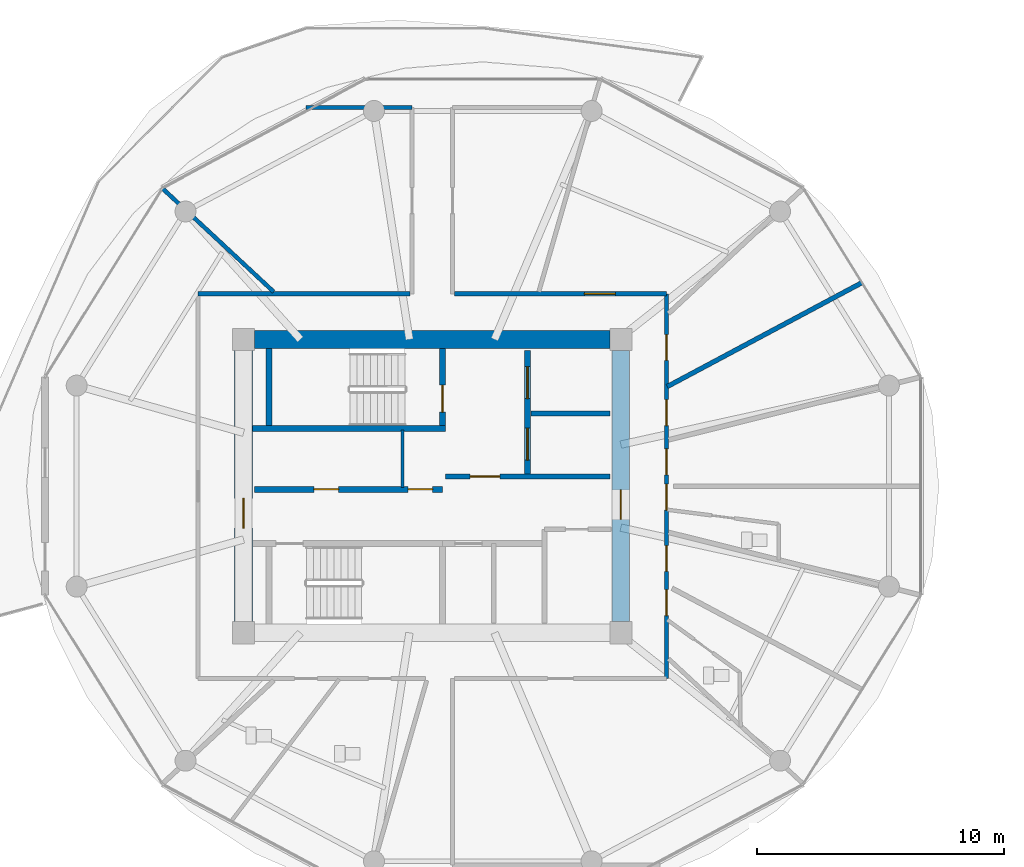
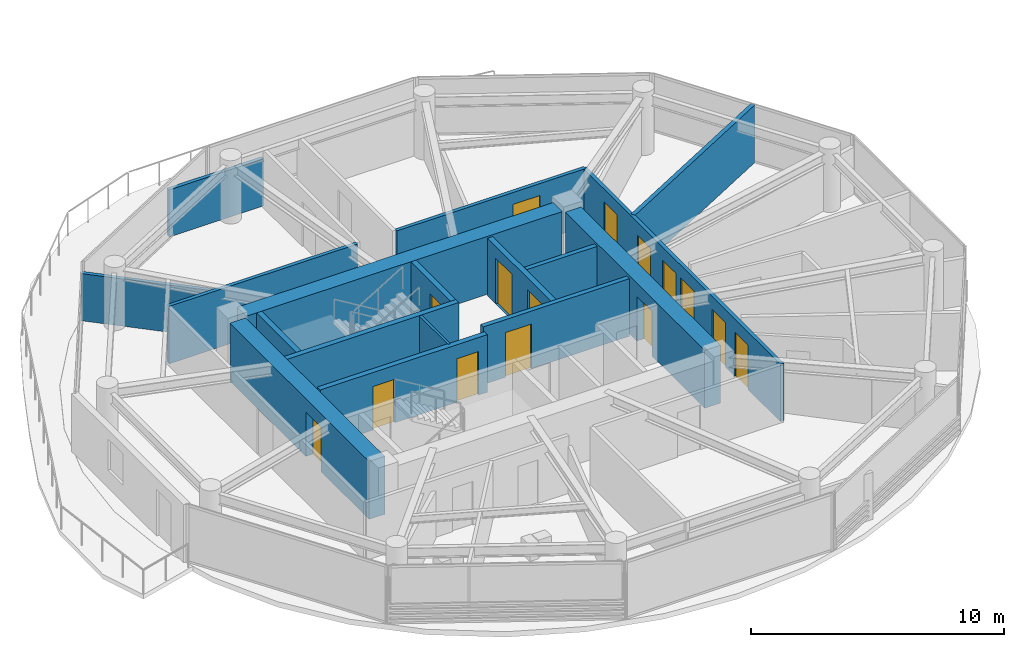
# One storey, part 14 of 25: 17 walls, 15 doors, 15 openings.
"""IFC4 building model written with IfcOpenShell, lengths in metres."""

from ifc_helpers import new_model, si_unit, direction, frame, frame_2d, origin, place, context, subcontext, project, spatial, rectangle, extrude, source, transform, mapped, material, layer, layer_set, type_object, type_shapes, element, fill, save


model = new_model("IFC4")

# Units and contexts
model_context = context("Model", 3, precision=1e-05, world=origin(), true_north=direction((0.0, 1.0)))
body_context = subcontext(model_context, "Body", "Model", "MODEL_VIEW")
ifc_project = project(units=[si_unit("LENGTHUNIT", "METRE"), si_unit("AREAUNIT", "SQUARE_METRE"), si_unit("VOLUMEUNIT", "CUBIC_METRE"), si_unit("PLANEANGLEUNIT", "RADIAN"), si_unit("MASSUNIT", "GRAM", prefix="KILO")], contexts=[model_context])

# Site, building, storey
site_placement = place(None, origin())
site = spatial("IfcSite", under=ifc_project, at=site_placement, CompositionType="ELEMENT")
building_placement = place(site_placement, origin())
building = spatial("IfcBuilding", under=site, at=building_placement, Name="Norrkilde Senior Care Towers", CompositionType="ELEMENT")
storey_placement = place(building_placement, frame((0.0, 0.0, 84.050048828125)))
storey = spatial("IfcBuildingStorey", under=building, at=storey_placement, Name="L25", CompositionType="ELEMENT", Elevation=84.050048828125)

# Wall
ifc_material_1 = material(Name="Concrete C60/75", Category="concrete")
ifc_layer_1 = layer(ifc_material_1, 0.719970703125)
ifc_layer_set_1 = layer_set([ifc_layer_1], Name="Concrete C60/75")
wall_type_1 = type_object("IfcWallType", Name="Core Shear Wall Z2 720", PredefinedType="SHEAR", material=ifc_layer_set_1)
shared_shape_1 = source(origin(), body_context, "Body", "SweptSolid", [
    extrude(rectangle(XDim=14.39990234375, YDim=0.719970703125, at=frame_2d((7.199951171875, 0.0))), origin(), (0.0, 0.0, 1.0), 2.7900390625),
])
wall_1_placement = place(storey_placement, frame((-35.199951171875, 5.949951171875, 0.0), z_axis=(0.0, 0.0, 1.0), x_axis=(1.0, 0.0, 0.0)))
element("IfcWall", 1, at=wall_1_placement, inside=storey, type_object=wall_type_1, Name="L25 Core W North Shear Wall", PredefinedType="SHEAR", context=body_context, shape_type="MappedRepresentation", body=[
    mapped(shared_shape_1, transform((0.0, 0.0, 0.0), x_axis=(1.0, 0.0, 0.0), y_axis=(0.0, 1.0, 0.0), z_axis=(0.0, 0.0, 1.0), scale=1.0)),
])

# Wall, opening, door
shared_shape_2 = source(origin(), body_context, "Body", "SweptSolid", [
    extrude(rectangle(XDim=11.0, YDim=0.719970703125, at=frame_2d((5.5, 0.0))), origin(), (0.0, 0.0, 1.0), 2.7900390625),
])
type_shapes(wall_type_1, [shared_shape_1, shared_shape_2])
wall_2_placement = place(storey_placement, frame((-35.64990234375, -5.5, 0.0), z_axis=(0.0, 0.0, 1.0), x_axis=(0.0, 1.0, 0.0)))
wall_2 = element("IfcWall", 2, at=wall_2_placement, inside=storey, type_object=wall_type_1, Name="L25 Core W West Shear Wall", PredefinedType="SHEAR", context=body_context, shape_type="MappedRepresentation", body=[
    mapped(shared_shape_2, transform((0.0, 0.0, 0.0), x_axis=(1.0, 0.0, 0.0), y_axis=(0.0, 1.0, 0.0), z_axis=(0.0, 0.0, 1.0), scale=1.0)),
])
opening_1_placement = place(wall_2_placement, frame((3.800048828125, 0.0, 0.0)))
opening_1 = element("IfcOpeningElement", 3, at=opening_1_placement, cuts=wall_2, Name="Opening D-04", PredefinedType="OPENING", context=body_context, shape_type="SweptSolid", body=[
    extrude(rectangle(XDim=1.199951171875, YDim=2.14990234375, at=frame_2d((0.60009765625, 1.074951171875))), frame((0.0, 0.369873046875, 0.0), z_axis=(0.0, -1.0, 0.0), x_axis=(1.0, 0.0, 0.0)), (0.0, 0.0, 1.0), 0.739990234375),
])
ifc_material_2 = material(Name="Galvanised Painted Steel", Category="steel")
door_type_1 = type_object("IfcDoorType", Name="Firefighting Lobby Fire Door 1200x2150", OperationType="NOTDEFINED", PredefinedType="DOOR", material=ifc_material_2)
shared_shape_3 = source(origin(), body_context, "Body", "SweptSolid", [
    extrude(rectangle(XDim=1.199951171875, YDim=2.14990234375, at=frame_2d((0.60009765625, 1.074951171875))), frame((0.0, 0.02490234375, 0.0), z_axis=(0.0, -1.0, 0.0), x_axis=(1.0, 0.0, 0.0)), (0.0, 0.0, 1.0), 0.050048828125),
])
type_shapes(door_type_1, [shared_shape_3])
door_1_placement = place(opening_1_placement, frame((1.199951171875, 0.0, 0.0), z_axis=(0.0, 0.0, 1.0), x_axis=(-1.0, 0.0, 0.0)))
door_1 = element("IfcDoor", 4, at=door_1_placement, inside=storey, type_object=door_type_1, Name="L25 Core W West Portal Door", OperationType="SINGLE_SWING_LEFT", OverallHeight=2.14990234375, OverallWidth=1.199951171875, PredefinedType="DOOR", context=body_context, shape_type="MappedRepresentation", body=[
    mapped(shared_shape_3, transform((0.0, 0.0, 0.0), x_axis=(1.0, 0.0, 0.0), y_axis=(0.0, 1.0, 0.0), z_axis=(0.0, 0.0, 1.0), scale=1.0)),
])
fill(opening_1, door_1)

wall_3_placement = place(storey_placement, frame((-20.35009765625, 5.5, 0.0), z_axis=(0.0, 0.0, 1.0), x_axis=(0.0, -1.0, 0.0)))
wall_3 = element("IfcWall", 5, at=wall_3_placement, inside=storey, type_object=wall_type_1, Name="L25 Core W East Shear Wall", PredefinedType="SHEAR", context=body_context, shape_type="MappedRepresentation", body=[
    mapped(shared_shape_2, transform((0.0, 0.0, 0.0), x_axis=(1.0, 0.0, 0.0), y_axis=(0.0, 1.0, 0.0), z_axis=(0.0, 0.0, 1.0), scale=1.0)),
])
opening_2_placement = place(wall_3_placement, frame((5.64990234375, 0.0, 0.0)))
opening_2 = element("IfcOpeningElement", 6, at=opening_2_placement, cuts=wall_3, Name="Opening D-04", PredefinedType="OPENING", context=body_context, shape_type="SweptSolid", body=[
    extrude(rectangle(XDim=1.199951171875, YDim=2.14990234375, at=frame_2d((0.60009765625, 1.074951171875))), frame((0.0, 0.369873046875, 0.0), z_axis=(0.0, -1.0, 0.0), x_axis=(1.0, 0.0, 0.0)), (0.0, 0.0, 1.0), 0.739990234375),
])
door_2_placement = place(opening_2_placement, frame((1.199951171875, 0.0, 0.0), z_axis=(0.0, 0.0, 1.0), x_axis=(-1.0, 0.0, 0.0)))
door_2 = element("IfcDoor", 7, at=door_2_placement, inside=storey, type_object=door_type_1, Name="L25 Core W East Portal Door", OperationType="SINGLE_SWING_RIGHT", OverallHeight=2.14990234375, OverallWidth=1.199951171875, PredefinedType="DOOR", context=body_context, shape_type="MappedRepresentation", body=[
    mapped(shared_shape_3, transform((0.0, 0.0, 0.0), x_axis=(1.0, 0.0, 0.0), y_axis=(0.0, 1.0, 0.0), z_axis=(0.0, 0.0, 1.0), scale=1.0)),
])
fill(opening_2, door_2)

# Wall, openings, doors
ifc_material_3 = material(Name="Concrete C45/55", Category="concrete")
ifc_layer_2 = layer(ifc_material_3, 0.239990234375)
ifc_layer_set_2 = layer_set([ifc_layer_2], Name="Concrete C45/55")
wall_type_2 = type_object("IfcWallType", Name="Lift and Plant Rated Enclosure Partition 240", PredefinedType="PARTITIONING", material=ifc_layer_set_2)
shared_shape_4 = source(origin(), body_context, "Body", "SweptSolid", [
    extrude(rectangle(XDim=5.0, YDim=0.239990234375, at=frame_2d((2.5, 0.0))), origin(), (0.0, 0.0, 1.0), 2.77490234375),
])
wall_4_placement = place(storey_placement, frame((-24.139892578125, 0.5, 0.0), z_axis=(0.0, 0.0, 1.0), x_axis=(0.0, 1.0, 0.0)))
wall_4 = element("IfcWall", 8, at=wall_4_placement, inside=storey, type_object=wall_type_2, Name="WL-INT-L25-W-FFLE", PredefinedType="PARTITIONING", context=body_context, shape_type="MappedRepresentation", body=[
    mapped(shared_shape_4, transform((0.0, 0.0, 0.0), x_axis=(1.0, 0.0, 0.0), y_axis=(0.0, 1.0, 0.0), z_axis=(0.0, 0.0, 1.0), scale=1.0)),
])
opening_3_placement = place(wall_4_placement, frame((3.050048828125, 0.0, 0.0)))
opening_3 = element("IfcOpeningElement", 9, at=opening_3_placement, cuts=wall_4, Name="Opening LD-02", PredefinedType="OPENING", context=body_context, shape_type="SweptSolid", body=[
    extrude(rectangle(XDim=1.300048828125, YDim=2.199951171875, at=frame_2d((0.64990234375, 1.10009765625))), frame((0.0, 0.1298828125, 0.0), z_axis=(0.0, -1.0, 0.0), x_axis=(1.0, 0.0, 0.0)), (0.0, 0.0, 1.0), 0.260009765625),
])
opening_4_placement = place(wall_4_placement, frame((0.550048828125, 0.0, 0.0)))
opening_4 = element("IfcOpeningElement", 10, at=opening_4_placement, cuts=wall_4, Name="Opening LD-02", PredefinedType="OPENING", context=body_context, shape_type="SweptSolid", body=[
    extrude(rectangle(XDim=1.300048828125, YDim=2.199951171875, at=frame_2d((0.64990234375, 1.10009765625))), frame((0.0, 0.1298828125, 0.0), z_axis=(0.0, -1.0, 0.0), x_axis=(1.0, 0.0, 0.0)), (0.0, 0.0, 1.0), 0.260009765625),
])
ifc_material_4 = material(Name="Stainless Steel", Category="steel")
door_type_2 = type_object("IfcDoorType", Name="Stretcher and FFL Landing Sliding Door 1300x2200", OperationType="NOTDEFINED", PredefinedType="DOOR", material=ifc_material_4)
shared_shape_5 = source(origin(), body_context, "Body", "SweptSolid", [
    extrude(rectangle(XDim=1.300048828125, YDim=2.199951171875, at=frame_2d((0.64990234375, 1.10009765625))), frame((0.0, 0.02490234375, 0.0), z_axis=(0.0, -1.0, 0.0), x_axis=(1.0, 0.0, 0.0)), (0.0, 0.0, 1.0), 0.050048828125),
])
type_shapes(door_type_2, [shared_shape_5])
door_3_placement = place(opening_3_placement, origin())
door_3 = element("IfcDoor", 11, at=door_3_placement, inside=storey, type_object=door_type_2, Name="L25 Firefighting Lift W1 Landing Door", OperationType="SLIDING_TO_LEFT", OverallHeight=2.199951171875, OverallWidth=1.300048828125, PredefinedType="DOOR", context=body_context, shape_type="MappedRepresentation", body=[
    mapped(shared_shape_5, transform((0.0, 0.0, 0.0), x_axis=(1.0, 0.0, 0.0), y_axis=(0.0, 1.0, 0.0), z_axis=(0.0, 0.0, 1.0), scale=1.0)),
])
fill(opening_3, door_3)
door_4_placement = place(opening_4_placement, origin())
door_4 = element("IfcDoor", 12, at=door_4_placement, inside=storey, type_object=door_type_2, Name="L25 Stretcher Lift W1 Landing Door", OperationType="SLIDING_TO_RIGHT", OverallHeight=2.199951171875, OverallWidth=1.300048828125, PredefinedType="DOOR", context=body_context, shape_type="MappedRepresentation", body=[
    mapped(shared_shape_5, transform((0.0, 0.0, 0.0), x_axis=(1.0, 0.0, 0.0), y_axis=(0.0, 1.0, 0.0), z_axis=(0.0, 0.0, 1.0), scale=1.0)),
])
fill(opening_4, door_4)

# Wall
ifc_layer_3 = layer(ifc_material_3, 0.199951171875)
ifc_layer_set_3 = layer_set([ifc_layer_3], Name="Concrete C45/55")
wall_type_3 = type_object("IfcWallType", Name="Shaft Division and Plant Partition 200", PredefinedType="PARTITIONING", material=ifc_layer_set_3)
shared_shape_6 = source(origin(), body_context, "Body", "SweptSolid", [
    extrude(rectangle(XDim=3.199951171875, YDim=0.199951171875, at=frame_2d((1.60009765625, 0.0))), origin(), (0.0, 0.0, 1.0), 2.77490234375),
])
type_shapes(wall_type_3, [shared_shape_6])
wall_5_placement = place(storey_placement, frame((-24.0, 2.949951171875, 0.0), z_axis=(0.0, 0.0, 1.0), x_axis=(1.0, 0.0, 0.0)))
element("IfcWall", 13, at=wall_5_placement, inside=storey, type_object=wall_type_3, Name="WL-INT-L25-W-FFLDIV", PredefinedType="PARTITIONING", context=body_context, shape_type="MappedRepresentation", body=[
    mapped(shared_shape_6, transform((0.0, 0.0, 0.0), x_axis=(1.0, 0.0, 0.0), y_axis=(0.0, 1.0, 0.0), z_axis=(0.0, 0.0, 1.0), scale=1.0)),
])

# Wall, opening, door
ifc_layer_4 = layer(ifc_material_3, 0.2099609375)
ifc_layer_set_4 = layer_set([ifc_layer_4], Name="Concrete C45/55")
wall_type_4 = type_object("IfcWallType", Name="Firefighting Lobby Wall 210", PredefinedType="PARTITIONING", material=ifc_layer_set_4)
shared_shape_7 = source(origin(), body_context, "Body", "SweptSolid", [
    extrude(rectangle(XDim=6.659912109375, YDim=0.2099609375, at=frame_2d((3.330078125, 0.0))), origin(), (0.0, 0.0, 1.0), 2.77490234375),
])
type_shapes(wall_type_4, [shared_shape_7])
wall_6_placement = place(storey_placement, frame((-27.4599609375, 0.389892578125, 0.0), z_axis=(0.0, 0.0, 1.0), x_axis=(1.0, 0.0, 0.0)))
wall_6 = element("IfcWall", 14, at=wall_6_placement, inside=storey, type_object=wall_type_4, Name="WL-INT-L25-W-FFLS", PredefinedType="PARTITIONING", context=body_context, shape_type="MappedRepresentation", body=[
    mapped(shared_shape_7, transform((0.0, 0.0, 0.0), x_axis=(1.0, 0.0, 0.0), y_axis=(0.0, 1.0, 0.0), z_axis=(0.0, 0.0, 1.0), scale=1.0)),
])
opening_5_placement = place(wall_6_placement, frame((1.0, 0.0, 0.0)))
opening_5 = element("IfcOpeningElement", 15, at=opening_5_placement, cuts=wall_6, Name="Opening D-04", PredefinedType="OPENING", context=body_context, shape_type="SweptSolid", body=[
    extrude(rectangle(XDim=1.199951171875, YDim=2.14990234375, at=frame_2d((0.60009765625, 1.074951171875))), frame((0.0, 0.114990234375, 0.0), z_axis=(0.0, -1.0, 0.0), x_axis=(1.0, 0.0, 0.0)), (0.0, 0.0, 1.0), 0.22998046875),
])
door_5_placement = place(opening_5_placement, frame((1.199951171875, 0.0, 0.0), z_axis=(0.0, 0.0, 1.0), x_axis=(-1.0, 0.0, 0.0)))
door_5 = element("IfcDoor", 16, at=door_5_placement, inside=storey, type_object=door_type_1, Name="L25 Firefighting Lobby W Door", OperationType="SINGLE_SWING_LEFT", OverallHeight=2.14990234375, OverallWidth=1.199951171875, PredefinedType="DOOR", context=body_context, shape_type="MappedRepresentation", body=[
    mapped(shared_shape_3, transform((0.0, 0.0, 0.0), x_axis=(1.0, 0.0, 0.0), y_axis=(0.0, 1.0, 0.0), z_axis=(0.0, 0.0, 1.0), scale=1.0)),
])
fill(opening_5, door_5)

# Wall, openings, doors
shared_shape_8 = source(origin(), body_context, "Body", "SweptSolid", [
    extrude(rectangle(XDim=7.619873046875, YDim=0.239990234375, at=frame_2d((3.81005859375, 0.0))), origin(), (0.0, 0.0, 1.0), 2.77490234375),
])
type_shapes(wall_type_2, [shared_shape_4, shared_shape_8])
wall_7_placement = place(storey_placement, frame((-35.199951171875, -0.1298828125, 0.0), z_axis=(0.0, 0.0, 1.0), x_axis=(1.0, 0.0, 0.0)))
wall_7 = element("IfcWall", 17, at=wall_7_placement, inside=storey, type_object=wall_type_2, Name="WL-INT-L25-W-PKAS", PredefinedType="PARTITIONING", context=body_context, shape_type="MappedRepresentation", body=[
    mapped(shared_shape_8, transform((0.0, 0.0, 0.0), x_axis=(1.0, 0.0, 0.0), y_axis=(0.0, 1.0, 0.0), z_axis=(0.0, 0.0, 1.0), scale=1.0)),
])
opening_6_placement = place(wall_7_placement, frame((6.219970703125, 0.0, 0.0)))
opening_6 = element("IfcOpeningElement", 18, at=opening_6_placement, cuts=wall_7, Name="Opening D-10", PredefinedType="OPENING", context=body_context, shape_type="SweptSolid", body=[
    extrude(rectangle(XDim=1.0, YDim=2.10009765625, at=frame_2d((0.5, 1.050048828125))), frame((0.0, 0.1298828125, 0.0), z_axis=(0.0, -1.0, 0.0), x_axis=(1.0, 0.0, 0.0)), (0.0, 0.0, 1.0), 0.260009765625),
])
opening_7_placement = place(wall_7_placement, frame((2.39990234375, 0.0, 0.0)))
opening_7 = element("IfcOpeningElement", 19, at=opening_7_placement, cuts=wall_7, Name="Opening D-10", PredefinedType="OPENING", context=body_context, shape_type="SweptSolid", body=[
    extrude(rectangle(XDim=1.0, YDim=2.10009765625, at=frame_2d((0.5, 1.050048828125))), frame((0.0, 0.1298828125, 0.0), z_axis=(0.0, -1.0, 0.0), x_axis=(1.0, 0.0, 0.0)), (0.0, 0.0, 1.0), 0.260009765625),
])
door_type_3 = type_object("IfcDoorType", Name="Plant and Riser Rated Door 1000x2100", OperationType="NOTDEFINED", PredefinedType="DOOR", material=ifc_material_2)
shared_shape_9 = source(origin(), body_context, "Body", "SweptSolid", [
    extrude(rectangle(XDim=1.0, YDim=2.10009765625, at=frame_2d((0.5, 1.050048828125))), frame((0.0, 0.02490234375, 0.0), z_axis=(0.0, -1.0, 0.0), x_axis=(1.0, 0.0, 0.0)), (0.0, 0.0, 1.0), 0.050048828125),
])
type_shapes(door_type_3, [shared_shape_9])
door_6_placement = place(opening_6_placement, frame((1.0, 0.0, 0.0), z_axis=(0.0, 0.0, 1.0), x_axis=(-1.0, 0.0, 0.0)))
door_6 = element("IfcDoor", 20, at=door_6_placement, inside=storey, type_object=door_type_3, Name="L25 Electrical Riser W Door", OperationType="SINGLE_SWING_LEFT", OverallHeight=2.10009765625, OverallWidth=1.0, PredefinedType="DOOR", context=body_context, shape_type="MappedRepresentation", body=[
    mapped(shared_shape_9, transform((0.0, 0.0, 0.0), x_axis=(1.0, 0.0, 0.0), y_axis=(0.0, 1.0, 0.0), z_axis=(0.0, 0.0, 1.0), scale=1.0)),
])
fill(opening_6, door_6)
door_7_placement = place(opening_7_placement, frame((1.0, 0.0, 0.0), z_axis=(0.0, 0.0, 1.0), x_axis=(-1.0, 0.0, 0.0)))
door_7 = element("IfcDoor", 21, at=door_7_placement, inside=storey, type_object=door_type_3, Name="L25 Clean Supply Store W Door", OperationType="SINGLE_SWING_LEFT", OverallHeight=2.10009765625, OverallWidth=1.0, PredefinedType="DOOR", context=body_context, shape_type="MappedRepresentation", body=[
    mapped(shared_shape_9, transform((0.0, 0.0, 0.0), x_axis=(1.0, 0.0, 0.0), y_axis=(0.0, 1.0, 0.0), z_axis=(0.0, 0.0, 1.0), scale=1.0)),
])
fill(opening_7, door_7)

# Wall
ifc_material_5 = material(Name="Gypsum Acoustic Board")
ifc_layer_5 = layer(ifc_material_5, 0.114990234375)
ifc_layer_set_5 = layer_set([ifc_layer_5], Name="Gypsum Acoustic Board")
wall_type_5 = type_object("IfcWallType", Name="Internal Room Partition 115", PredefinedType="PARTITIONING", material=ifc_layer_set_5)
shared_shape_10 = source(origin(), body_context, "Body", "SweptSolid", [
    extrude(rectangle(XDim=2.330078125, YDim=0.114990234375, at=frame_2d((1.1650390625, 0.0))), origin(), (0.0, 0.0, 1.0), 2.77490234375),
])
type_shapes(wall_type_5, [shared_shape_10])
wall_8_placement = place(storey_placement, frame((-29.2099609375, -0.050048828125, 0.0), z_axis=(0.0, 0.0, 1.0), x_axis=(0.0, 1.0, 0.0)))
element("IfcWall", 22, at=wall_8_placement, inside=storey, type_object=wall_type_5, Name="WL-INT-L25-W-RISW", PredefinedType="PARTITIONING", context=body_context, shape_type="MappedRepresentation", body=[
    mapped(shared_shape_10, transform((0.0, 0.0, 0.0), x_axis=(1.0, 0.0, 0.0), y_axis=(0.0, 1.0, 0.0), z_axis=(0.0, 0.0, 1.0), scale=1.0)),
])

# Wall, openings, doors
ifc_layer_6 = layer(ifc_material_5, 0.1650390625)
ifc_layer_set_6 = layer_set([ifc_layer_6], Name="Gypsum Acoustic Board")
wall_type_6 = type_object("IfcWallType", Name="Corridor Rated Partition 165", PredefinedType="PARTITIONING", material=ifc_layer_set_6)
shared_shape_11 = source(origin(), body_context, "Body", "SweptSolid", [
    extrude(rectangle(XDim=15.60009765625, YDim=0.1650390625, at=frame_2d((7.800048828125, 0.0))), origin(), (0.0, 0.0, 1.0), 2.77490234375),
])
wall_9_placement = place(storey_placement, frame((-18.5, 7.800048828125, 0.0), z_axis=(0.0, 0.0, 1.0), x_axis=(0.0, -1.0, 0.0)))
wall_9 = element("IfcWall", 23, at=wall_9_placement, inside=storey, type_object=wall_type_6, Name="WL-INT-L25-W-CRW-E-0", PredefinedType="PARTITIONING", context=body_context, shape_type="MappedRepresentation", body=[
    mapped(shared_shape_11, transform((0.0, 0.0, 0.0), x_axis=(1.0, 0.0, 0.0), y_axis=(0.0, 1.0, 0.0), z_axis=(0.0, 0.0, 1.0), scale=1.0)),
])
opening_8_placement = place(wall_9_placement, frame((12.001953125, 0.0, 0.0)))
opening_8 = element("IfcOpeningElement", 24, at=opening_8_placement, cuts=wall_9, Name="Opening D-06", PredefinedType="OPENING", context=body_context, shape_type="SweptSolid", body=[
    extrude(rectangle(XDim=1.050048828125, YDim=2.14990234375, at=frame_2d((0.52490234375, 1.074951171875))), frame((0.0, 0.092529296875, 0.0), z_axis=(0.0, -1.0, 0.0), x_axis=(1.0, 0.0, 0.0)), (0.0, 0.0, 1.0), 0.18505859375),
])
opening_9_placement = place(wall_9_placement, frame((10.210693359375, 0.0, 0.0)))
opening_9 = element("IfcOpeningElement", 25, at=opening_9_placement, cuts=wall_9, Name="Opening D-06", PredefinedType="OPENING", context=body_context, shape_type="SweptSolid", body=[
    extrude(rectangle(XDim=1.050048828125, YDim=2.14990234375, at=frame_2d((0.52490234375, 1.074951171875))), frame((0.0, 0.092529296875, 0.0), z_axis=(0.0, -1.0, 0.0), x_axis=(1.0, 0.0, 0.0)), (0.0, 0.0, 1.0), 0.18505859375),
])
opening_10_placement = place(wall_9_placement, frame((7.721923828125, 0.0, 0.0)))
opening_10 = element("IfcOpeningElement", 26, at=opening_10_placement, cuts=wall_9, Name="Opening D-06", PredefinedType="OPENING", context=body_context, shape_type="SweptSolid", body=[
    extrude(rectangle(XDim=1.050048828125, YDim=2.14990234375, at=frame_2d((0.52490234375, 1.074951171875))), frame((0.0, 0.092529296875, 0.0), z_axis=(0.0, -1.0, 0.0), x_axis=(1.0, 0.0, 0.0)), (0.0, 0.0, 1.0), 0.18505859375),
])
opening_11_placement = place(wall_9_placement, frame((6.290771484375, 0.0, 0.0)))
opening_11 = element("IfcOpeningElement", 27, at=opening_11_placement, cuts=wall_9, Name="Opening D-06", PredefinedType="OPENING", context=body_context, shape_type="SweptSolid", body=[
    extrude(rectangle(XDim=1.050048828125, YDim=2.14990234375, at=frame_2d((0.52490234375, 1.074951171875))), frame((0.0, 0.092529296875, 0.0), z_axis=(0.0, -1.0, 0.0), x_axis=(1.0, 0.0, 0.0)), (0.0, 0.0, 1.0), 0.18505859375),
])
opening_12_placement = place(wall_9_placement, frame((4.296142578125, 0.0, 0.0)))
opening_12 = element("IfcOpeningElement", 28, at=opening_12_placement, cuts=wall_9, Name="Opening D-06", PredefinedType="OPENING", context=body_context, shape_type="SweptSolid", body=[
    extrude(rectangle(XDim=1.050048828125, YDim=2.14990234375, at=frame_2d((0.52490234375, 1.074951171875))), frame((0.0, 0.092529296875, 0.0), z_axis=(0.0, -1.0, 0.0), x_axis=(1.0, 0.0, 0.0)), (0.0, 0.0, 1.0), 0.18505859375),
])
opening_13_placement = place(wall_9_placement, frame((1.654052734375, 0.0, 0.0)))
opening_13 = element("IfcOpeningElement", 29, at=opening_13_placement, cuts=wall_9, Name="Opening D-06", PredefinedType="OPENING", context=body_context, shape_type="SweptSolid", body=[
    extrude(rectangle(XDim=1.050048828125, YDim=2.14990234375, at=frame_2d((0.52490234375, 1.074951171875))), frame((0.0, 0.092529296875, 0.0), z_axis=(0.0, -1.0, 0.0), x_axis=(1.0, 0.0, 0.0)), (0.0, 0.0, 1.0), 0.18505859375),
])
ifc_material_6 = material(Name="Nordic Ash Timber", Category="wood")
door_type_4 = type_object("IfcDoorType", Name="Apartment Entrance Fire Door 1050x2150", OperationType="NOTDEFINED", PredefinedType="DOOR", material=ifc_material_6)
shared_shape_12 = source(origin(), body_context, "Body", "SweptSolid", [
    extrude(rectangle(XDim=1.050048828125, YDim=2.14990234375, at=frame_2d((0.52490234375, 1.074951171875))), frame((0.0, 0.02490234375, 0.0), z_axis=(0.0, -1.0, 0.0), x_axis=(1.0, 0.0, 0.0)), (0.0, 0.0, 1.0), 0.050048828125),
])
type_shapes(door_type_4, [shared_shape_12])
door_8_placement = place(opening_8_placement, frame((1.050048828125, 0.0, 0.0), z_axis=(0.0, 0.0, 1.0), x_axis=(-1.0, 0.0, 0.0)))
door_8 = element("IfcDoor", 30, at=door_8_placement, inside=storey, type_object=door_type_4, Name="L25 Care Suite 2510A Entrance Door", OperationType="SINGLE_SWING_LEFT", OverallHeight=2.14990234375, OverallWidth=1.050048828125, PredefinedType="DOOR", context=body_context, shape_type="MappedRepresentation", body=[
    mapped(shared_shape_12, transform((0.0, 0.0, 0.0), x_axis=(1.0, 0.0, 0.0), y_axis=(0.0, 1.0, 0.0), z_axis=(0.0, 0.0, 1.0), scale=1.0)),
])
fill(opening_8, door_8)
door_9_placement = place(opening_9_placement, frame((1.050048828125, 0.0, 0.0), z_axis=(0.0, 0.0, 1.0), x_axis=(-1.0, 0.0, 0.0)))
door_9 = element("IfcDoor", 31, at=door_9_placement, inside=storey, type_object=door_type_4, Name="L25 Therapy Day Lounge 10 Door", OperationType="SINGLE_SWING_RIGHT", OverallHeight=2.14990234375, OverallWidth=1.050048828125, PredefinedType="DOOR", context=body_context, shape_type="MappedRepresentation", body=[
    mapped(shared_shape_12, transform((0.0, 0.0, 0.0), x_axis=(1.0, 0.0, 0.0), y_axis=(0.0, 1.0, 0.0), z_axis=(0.0, 0.0, 1.0), scale=1.0)),
])
fill(opening_9, door_9)
door_10_placement = place(opening_10_placement, frame((1.050048828125, 0.0, 0.0), z_axis=(0.0, 0.0, 1.0), x_axis=(-1.0, 0.0, 0.0)))
door_10 = element("IfcDoor", 32, at=door_10_placement, inside=storey, type_object=door_type_4, Name="L25 Care Suite 2511A Entrance Door", OperationType="SINGLE_SWING_RIGHT", OverallHeight=2.14990234375, OverallWidth=1.050048828125, PredefinedType="DOOR", context=body_context, shape_type="MappedRepresentation", body=[
    mapped(shared_shape_12, transform((0.0, 0.0, 0.0), x_axis=(1.0, 0.0, 0.0), y_axis=(0.0, 1.0, 0.0), z_axis=(0.0, 0.0, 1.0), scale=1.0)),
])
fill(opening_10, door_10)
door_11_placement = place(opening_11_placement, frame((1.050048828125, 0.0, 0.0), z_axis=(0.0, 0.0, 1.0), x_axis=(-1.0, 0.0, 0.0)))
door_11 = element("IfcDoor", 33, at=door_11_placement, inside=storey, type_object=door_type_4, Name="L25 Therapy Day Lounge 11 Door", OperationType="SINGLE_SWING_LEFT", OverallHeight=2.14990234375, OverallWidth=1.050048828125, PredefinedType="DOOR", context=body_context, shape_type="MappedRepresentation", body=[
    mapped(shared_shape_12, transform((0.0, 0.0, 0.0), x_axis=(1.0, 0.0, 0.0), y_axis=(0.0, 1.0, 0.0), z_axis=(0.0, 0.0, 1.0), scale=1.0)),
])
fill(opening_11, door_11)
door_12_placement = place(opening_12_placement, frame((1.050048828125, 0.0, 0.0), z_axis=(0.0, 0.0, 1.0), x_axis=(-1.0, 0.0, 0.0)))
door_12 = element("IfcDoor", 34, at=door_12_placement, inside=storey, type_object=door_type_4, Name="L25 Physiotherapy Clinic 0A Door", OperationType="SINGLE_SWING_LEFT", OverallHeight=2.14990234375, OverallWidth=1.050048828125, PredefinedType="DOOR", context=body_context, shape_type="MappedRepresentation", body=[
    mapped(shared_shape_12, transform((0.0, 0.0, 0.0), x_axis=(1.0, 0.0, 0.0), y_axis=(0.0, 1.0, 0.0), z_axis=(0.0, 0.0, 1.0), scale=1.0)),
])
fill(opening_12, door_12)
door_13_placement = place(opening_13_placement, frame((1.050048828125, 0.0, 0.0), z_axis=(0.0, 0.0, 1.0), x_axis=(-1.0, 0.0, 0.0)))
door_13 = element("IfcDoor", 35, at=door_13_placement, inside=storey, type_object=door_type_4, Name="L25 Assessment Clinic 0B Door", OperationType="SINGLE_SWING_RIGHT", OverallHeight=2.14990234375, OverallWidth=1.050048828125, PredefinedType="DOOR", context=body_context, shape_type="MappedRepresentation", body=[
    mapped(shared_shape_12, transform((0.0, 0.0, 0.0), x_axis=(1.0, 0.0, 0.0), y_axis=(0.0, 1.0, 0.0), z_axis=(0.0, 0.0, 1.0), scale=1.0)),
])
fill(opening_13, door_13)

# Walls
ifc_layer_7 = layer(ifc_material_3, 0.239990234375)
ifc_layer_set_7 = layer_set([ifc_layer_7], Name="Concrete C45/55")
wall_type_7 = type_object("IfcWallType", Name="Shaft and Stair Enclosure Wall 240", PredefinedType="PARTITIONING", material=ifc_layer_set_7)
shared_shape_13 = source(origin(), body_context, "Body", "SweptSolid", [
    extrude(rectangle(XDim=7.830078125, YDim=0.239990234375, at=frame_2d((3.9150390625, 0.0))), origin(), (0.0, 0.0, 1.0), 2.7900390625),
])
wall_10_placement = place(storey_placement, frame((-35.2900390625, 2.330078125, 0.0), z_axis=(0.0, 0.0, 1.0), x_axis=(1.0, 0.0, 0.0)))
element("IfcWall", 36, at=wall_10_placement, inside=storey, type_object=wall_type_7, Name="WL-INT-L25-W-ST1S", PredefinedType="PARTITIONING", context=body_context, shape_type="MappedRepresentation", body=[
    mapped(shared_shape_13, transform((0.0, 0.0, 0.0), x_axis=(1.0, 0.0, 0.0), y_axis=(0.0, 1.0, 0.0), z_axis=(0.0, 0.0, 1.0), scale=1.0)),
])
shared_shape_14 = source(origin(), body_context, "Body", "SweptSolid", [
    extrude(rectangle(XDim=3.14013671875, YDim=0.239990234375, at=frame_2d((1.570068359375, 0.0))), origin(), (0.0, 0.0, 1.0), 2.7900390625),
])
type_shapes(wall_type_7, [shared_shape_13, shared_shape_14])
wall_11_placement = place(storey_placement, frame((-34.6201171875, 2.449951171875, 0.0), z_axis=(0.0, 0.0, 1.0), x_axis=(0.0, 1.0, 0.0)))
element("IfcWall", 37, at=wall_11_placement, inside=storey, type_object=wall_type_7, Name="WL-INT-L25-W-ST1W", PredefinedType="PARTITIONING", context=body_context, shape_type="MappedRepresentation", body=[
    mapped(shared_shape_14, transform((0.0, 0.0, 0.0), x_axis=(1.0, 0.0, 0.0), y_axis=(0.0, 1.0, 0.0), z_axis=(0.0, 0.0, 1.0), scale=1.0)),
])

# Wall, opening, door
wall_12_placement = place(storey_placement, frame((-27.580078125, 2.449951171875, 0.0), z_axis=(0.0, 0.0, 1.0), x_axis=(0.0, 1.0, 0.0)))
wall_12 = element("IfcWall", 38, at=wall_12_placement, inside=storey, type_object=wall_type_7, Name="WL-INT-L25-W-ST1E", PredefinedType="PARTITIONING", context=body_context, shape_type="MappedRepresentation", body=[
    mapped(shared_shape_14, transform((0.0, 0.0, 0.0), x_axis=(1.0, 0.0, 0.0), y_axis=(0.0, 1.0, 0.0), z_axis=(0.0, 0.0, 1.0), scale=1.0)),
])
opening_14_placement = place(wall_12_placement, frame((0.550048828125, 0.0, 0.0)))
opening_14 = element("IfcOpeningElement", 39, at=opening_14_placement, cuts=wall_12, Name="Opening D-03", PredefinedType="OPENING", context=body_context, shape_type="SweptSolid", body=[
    extrude(rectangle(XDim=1.10009765625, YDim=2.14990234375, at=frame_2d((0.550048828125, 1.074951171875))), frame((0.0, 0.1298828125, 0.0), z_axis=(0.0, -1.0, 0.0), x_axis=(1.0, 0.0, 0.0)), (0.0, 0.0, 1.0), 0.260009765625),
])
door_type_5 = type_object("IfcDoorType", Name="Stairwell Protected Fire Door 1100x2150", OperationType="NOTDEFINED", PredefinedType="DOOR", material=ifc_material_2)
shared_shape_15 = source(origin(), body_context, "Body", "SweptSolid", [
    extrude(rectangle(XDim=1.10009765625, YDim=2.14990234375, at=frame_2d((0.550048828125, 1.074951171875))), frame((0.0, 0.02490234375, 0.0), z_axis=(0.0, -1.0, 0.0), x_axis=(1.0, 0.0, 0.0)), (0.0, 0.0, 1.0), 0.050048828125),
])
type_shapes(door_type_5, [shared_shape_15])
door_14_placement = place(opening_14_placement, origin())
door_14 = element("IfcDoor", 40, at=door_14_placement, inside=storey, type_object=door_type_5, Name="L25 Stair W1 Fire Door", OperationType="SINGLE_SWING_LEFT", OverallHeight=2.14990234375, OverallWidth=1.10009765625, PredefinedType="DOOR", context=body_context, shape_type="MappedRepresentation", body=[
    mapped(shared_shape_15, transform((0.0, 0.0, 0.0), x_axis=(1.0, 0.0, 0.0), y_axis=(0.0, 1.0, 0.0), z_axis=(0.0, 0.0, 1.0), scale=1.0)),
])
fill(opening_14, door_14)

# Wall
shared_shape_16 = source(origin(), body_context, "Body", "SweptSolid", [
    extrude(rectangle(XDim=8.60009765625, YDim=0.1650390625, at=frame_2d((4.300048828125, 0.0))), origin(), (0.0, 0.0, 1.0), 2.77490234375),
])
wall_13_placement = place(storey_placement, frame((-37.5, 7.800048828125, 0.0), z_axis=(0.0, 0.0, 1.0), x_axis=(1.0, 0.0, 0.0)))
element("IfcWall", 41, at=wall_13_placement, inside=storey, type_object=wall_type_6, Name="WL-INT-L25-W-CRW-N-0", PredefinedType="PARTITIONING", context=body_context, shape_type="MappedRepresentation", body=[
    mapped(shared_shape_16, transform((0.0, 0.0, 0.0), x_axis=(1.0, 0.0, 0.0), y_axis=(0.0, 1.0, 0.0), z_axis=(0.0, 0.0, 1.0), scale=1.0)),
])

# Wall, opening, door
wall_14_placement = place(storey_placement, frame((-27.10009765625, 7.800048828125, 0.0), z_axis=(0.0, 0.0, 1.0), x_axis=(1.0, 0.0, 0.0)))
wall_14 = element("IfcWall", 42, at=wall_14_placement, inside=storey, type_object=wall_type_6, Name="WL-INT-L25-W-CRW-N-1", PredefinedType="PARTITIONING", context=body_context, shape_type="MappedRepresentation", body=[
    mapped(shared_shape_16, transform((0.0, 0.0, 0.0), x_axis=(1.0, 0.0, 0.0), y_axis=(0.0, 1.0, 0.0), z_axis=(0.0, 0.0, 1.0), scale=1.0)),
])
opening_15_placement = place(wall_14_placement, frame((5.27490234375, 0.0, 0.0)))
opening_15 = element("IfcOpeningElement", 43, at=opening_15_placement, cuts=wall_14, Name="Opening D-05", PredefinedType="OPENING", context=body_context, shape_type="SweptSolid", body=[
    extrude(rectangle(XDim=1.25, YDim=2.199951171875, at=frame_2d((0.625, 1.10009765625))), frame((0.0, 0.092529296875, 0.0), z_axis=(0.0, -1.0, 0.0), x_axis=(1.0, 0.0, 0.0)), (0.0, 0.0, 1.0), 0.18505859375),
])
door_type_6 = type_object("IfcDoorType", Name="Care Bedroom Bariatric Door 1250x2200", OperationType="NOTDEFINED", PredefinedType="DOOR", material=ifc_material_6)
shared_shape_17 = source(origin(), body_context, "Body", "SweptSolid", [
    extrude(rectangle(XDim=1.25, YDim=2.199951171875, at=frame_2d((0.625, 1.10009765625))), frame((0.0, 0.02490234375, 0.0), z_axis=(0.0, -1.0, 0.0), x_axis=(1.0, 0.0, 0.0)), (0.0, 0.0, 1.0), 0.050048828125),
])
type_shapes(door_type_6, [shared_shape_17])
door_15_placement = place(opening_15_placement, frame((1.25, 0.0, 0.0), z_axis=(0.0, 0.0, 1.0), x_axis=(-1.0, 0.0, 0.0)))
door_15 = element("IfcDoor", 44, at=door_15_placement, inside=storey, type_object=door_type_6, Name="L25 Household Therapeutic Kitchen Door", OperationType="SINGLE_SWING_RIGHT", OverallHeight=2.199951171875, OverallWidth=1.25, PredefinedType="DOOR", context=body_context, shape_type="MappedRepresentation", body=[
    mapped(shared_shape_17, transform((0.0, 0.0, 0.0), x_axis=(1.0, 0.0, 0.0), y_axis=(0.0, 1.0, 0.0), z_axis=(0.0, 0.0, 1.0), scale=1.0)),
])
fill(opening_15, door_15)

# Walls
shared_shape_18 = source(origin(), body_context, "Body", "SweptSolid", [
    extrude(rectangle(XDim=6.186767578125, YDim=0.1650390625, at=frame_2d((3.09326171875, 0.0))), origin(), (0.0, 0.0, 1.0), 2.27490234375),
])
wall_15_placement = place(storey_placement, frame((-34.428955078125, 7.8798828125, 0.0), z_axis=(0.0, 0.0, 1.0), x_axis=(-0.732501077882, 0.680765870841, 0.0)))
element("IfcWall", 45, at=wall_15_placement, inside=storey, type_object=wall_type_6, Name="WL-INT-L25-W-DEM-04-0", PredefinedType="PARTITIONING", context=body_context, shape_type="MappedRepresentation", body=[
    mapped(shared_shape_18, transform((0.0, 0.0, 0.0), x_axis=(1.0, 0.0, 0.0), y_axis=(0.0, 1.0, 0.0), z_axis=(0.0, 0.0, 1.0), scale=1.0)),
])
shared_shape_19 = source(origin(), body_context, "Body", "SweptSolid", [
    extrude(rectangle(XDim=4.306884765625, YDim=0.1650390625, at=frame_2d((2.1533203125, 0.0))), origin(), (0.0, 0.0, 1.0), 2.27490234375),
])
type_shapes(wall_type_6, [shared_shape_11, shared_shape_16, shared_shape_18, shared_shape_19])
wall_16_placement = place(storey_placement, frame((-33.126953125, 15.360107421875, 0.0), z_axis=(0.0, 0.0, 1.0), x_axis=(1.0, 0.0, 0.0)))
element("IfcWall", 46, at=wall_16_placement, inside=storey, type_object=wall_type_6, Name="WL-INT-L25-W-PKH-NWL-0", PredefinedType="PARTITIONING", context=body_context, shape_type="MappedRepresentation", body=[
    mapped(shared_shape_19, transform((0.0, 0.0, 0.0), x_axis=(1.0, 0.0, 0.0), y_axis=(0.0, 1.0, 0.0), z_axis=(0.0, 0.0, 1.0), scale=1.0)),
])
ifc_layer_8 = layer(ifc_material_5, 0.18994140625)
ifc_layer_set_8 = layer_set([ifc_layer_8], Name="Gypsum Acoustic Board")
wall_type_8 = type_object("IfcWallType", Name="Unit Demising Acoustic Wall 190", PredefinedType="PARTITIONING", material=ifc_layer_set_8)
shared_shape_20 = source(origin(), body_context, "Body", "SweptSolid", [
    extrude(rectangle(XDim=8.96826171875, YDim=0.18994140625, at=frame_2d((4.484130859375, 0.0))), origin(), (0.0, 0.0, 1.0), 2.77490234375),
])
type_shapes(wall_type_8, [shared_shape_20])
wall_17_placement = place(storey_placement, frame((-18.469970703125, 4.03564453125, 0.0), z_axis=(0.0, 0.0, 1.0), x_axis=(0.882202936563, 0.47086938605, 0.0)))
element("IfcWall", 47, at=wall_17_placement, inside=storey, type_object=wall_type_8, Name="WL-INT-L25-W-MID-00", PredefinedType="PARTITIONING", context=body_context, shape_type="MappedRepresentation", body=[
    mapped(shared_shape_20, transform((0.0, 0.0, 0.0), x_axis=(1.0, 0.0, 0.0), y_axis=(0.0, 1.0, 0.0), z_axis=(0.0, 0.0, 1.0), scale=1.0)),
])

save(model, "model.ifc")
